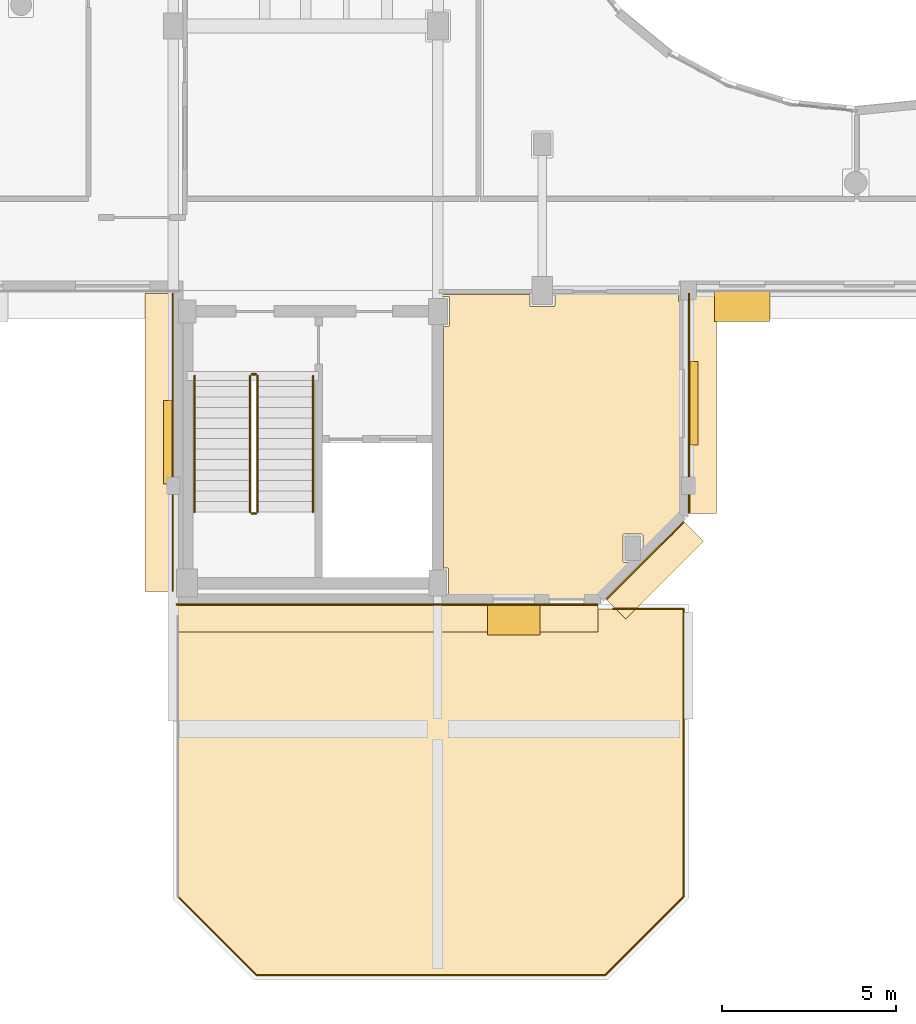
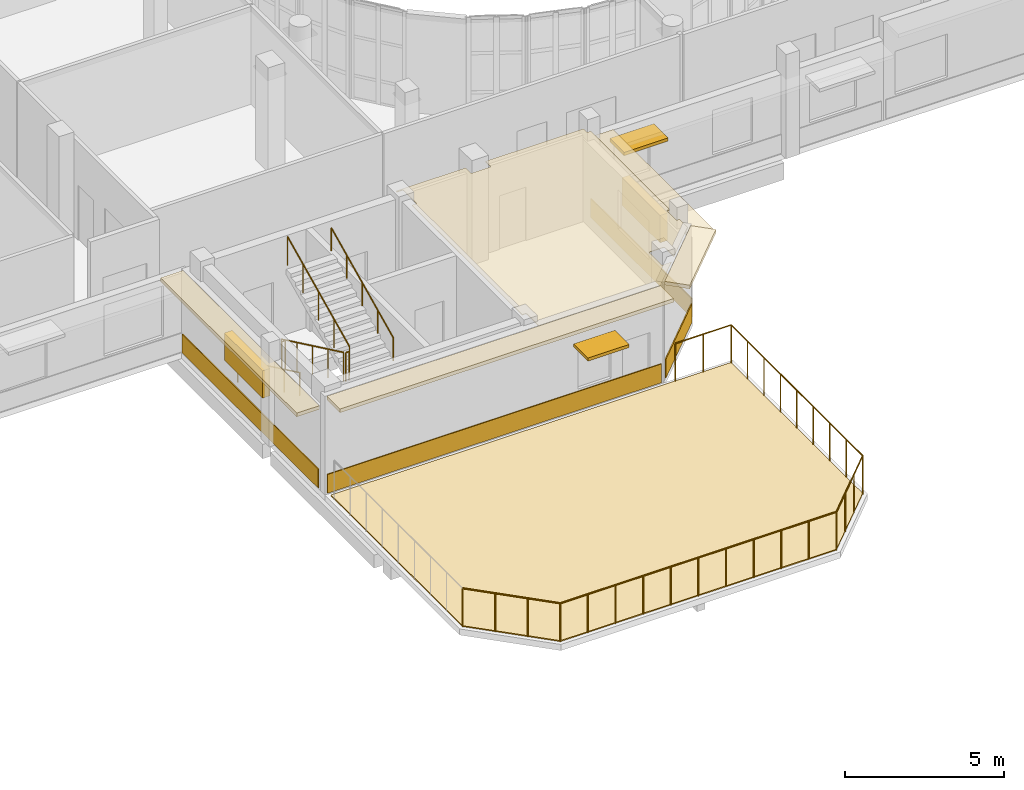
# One storey, part 80 of 89: 10 coverings, 7 railings, 4 shading devices.
"""IFC4 building model written with IfcOpenShell, lengths in metres."""

import ifcopenshell
import ifcopenshell.guid

model = None  # the IFC model being written
_history = None  # IfcOwnerHistory: only IFC2X3 demands one
_inside = {}  # id of a spatial element -> (the spatial element, [elements in it])
_under = {}  # id of a project, library or spatial element -> (it, [spatial elements below it])
_declared = {}  # id of a project -> (the project, [libraries it declares])
_typed = {}  # id of a type object -> (the type object, [elements of that type])
_made_of = {}  # id of a material, layer set ... -> (it, [elements and type objects made of it])


def new_model(schema):
    """Start an empty IFC model of exactly this schema.

    Asked for "IFC4X3", IfcOpenShell would pick the latest addendum, in which some entities
    have other attributes; the version numbers below select the first issue.
    IFC2X3 requires an IfcOwnerHistory on every rooted entity: one is made here for all.
    """
    global model, _history
    if schema == "IFC4X3":
        model = ifcopenshell.file(schema_version=(4, 3, 0, 0))
    else:
        model = ifcopenshell.file(schema=schema)
    _inside.clear()
    _under.clear()
    _declared.clear()
    _typed.clear()
    _made_of.clear()
    _history = None
    if model.schema == "IFC2X3":
        org = make("IfcOrganization", Name="unknown")
        user = make(
            "IfcPersonAndOrganization",
            ThePerson=make("IfcPerson", FamilyName="unknown"),
            TheOrganization=org,
        )
        app = make(
            "IfcApplication",
            ApplicationDeveloper=org,
            Version="unknown",
            ApplicationFullName="unknown",
            ApplicationIdentifier="unknown",
        )
        _history = make(
            "IfcOwnerHistory",
            OwningUser=user,
            OwningApplication=app,
            ChangeAction="ADDED",
            CreationDate=0,
        )
    return model


def make(cls, **values):
    """One entity of the class cls with the attributes given. An attribute that is None is left unset."""
    return model.create_entity(
        cls, **{name: value for name, value in values.items() if value is not None}
    )


def rooted(cls, **values):
    """An entity with a GlobalId (a new one), such as an element, a storey or a relation."""
    return make(cls, GlobalId=ifcopenshell.guid.new(), OwnerHistory=_history, **values)


def si_unit(unit_type, name, prefix=None):
    """IfcSIUnit, for example si_unit("LENGTHUNIT", "METRE", prefix="MILLI")."""
    return make("IfcSIUnit", UnitType=unit_type, Prefix=prefix, Name=name)


def assignment(units):
    """IfcUnitAssignment: the units of a project."""
    return None if units is None else make("IfcUnitAssignment", Units=units)


def point(xyz):
    """IfcCartesianPoint."""
    return None if xyz is None else make("IfcCartesianPoint", Coordinates=xyz)


def direction(xyz):
    """IfcDirection."""
    return None if xyz is None else make("IfcDirection", DirectionRatios=xyz)


def frame(location, z_axis=None, x_axis=None):
    """IfcAxis2Placement3D, a coordinate frame: its origin and axes. An axis left out is left unset."""
    return make(
        "IfcAxis2Placement3D",
        Location=point(location),
        Axis=direction(z_axis),
        RefDirection=direction(x_axis),
    )


def frame_2d(location, x_axis=None):
    """IfcAxis2Placement2D, a coordinate frame in the plane: its origin and x axis."""
    return make(
        "IfcAxis2Placement2D", Location=point(location), RefDirection=direction(x_axis)
    )


def origin():
    """The frame at (0, 0, 0) with its axes left unset."""
    return frame((0.0, 0.0, 0.0))


def origin_2d():
    """The frame at (0, 0) in the plane with its x axis left unset."""
    return frame_2d((0.0, 0.0))


def place(relative_to, where):
    """IfcLocalPlacement: puts the frame where relative to a parent placement (None: the world)."""
    return make(
        "IfcLocalPlacement", PlacementRelTo=relative_to, RelativePlacement=where
    )


def context(
    kind, dimensions, precision=None, world=None, true_north=None, identifier=None
):
    """IfcGeometricRepresentationContext, for example the 3D "Model" context."""
    return make(
        "IfcGeometricRepresentationContext",
        ContextIdentifier=identifier,
        ContextType=kind,
        CoordinateSpaceDimension=dimensions,
        Precision=precision,
        WorldCoordinateSystem=world,
        TrueNorth=true_north,
    )


def subcontext(parent, identifier, kind, view, scale=None):
    """IfcGeometricRepresentationSubContext, for example "Body" below "Model"."""
    return make(
        "IfcGeometricRepresentationSubContext",
        ContextIdentifier=identifier,
        ContextType=kind,
        ParentContext=parent,
        TargetScale=scale,
        TargetView=view,
    )


def project(units=None, contexts=None):
    """IfcProject with its units and contexts."""
    return rooted(
        "IfcProject",
        Name="project",
        RepresentationContexts=contexts,
        UnitsInContext=assignment(units),
    )


def spatial(cls, under=None, at=None, **own):
    """A site, building, storey or space (cls), placed at a placement, below another one or the project."""
    s = rooted(cls, ObjectPlacement=at, **own)
    if under is not None:
        _under.setdefault(under.id(), (under, []))[1].append(s)
    return s


def polyline(points):
    """IfcPolyline through the points."""
    return make("IfcPolyline", Points=[point(p) for p in points])


def profile(cls, at=None, kind="AREA", **sizes):
    """A parametric profile (cls). Its sizes go by their IFC names, for example OverallWidth=200.0."""
    return make(cls, ProfileType=kind, Position=at, **sizes)


def rectangle(**sizes):
    """IfcRectangleProfileDef."""
    return profile("IfcRectangleProfileDef", **sizes)


def circle(**sizes):
    """IfcCircleProfileDef."""
    return profile("IfcCircleProfileDef", **sizes)


def outline(outer, holes=None, kind="AREA"):
    """IfcArbitraryClosedProfileDef: a profile drawn as a closed curve; with holes, ...WithVoids."""
    if holes is None:
        return make("IfcArbitraryClosedProfileDef", ProfileType=kind, OuterCurve=outer)
    return make(
        "IfcArbitraryProfileDefWithVoids",
        ProfileType=kind,
        OuterCurve=outer,
        InnerCurves=holes,
    )


def extrude(swept, where, along, depth):
    """IfcExtrudedAreaSolid: the profile swept, set in the frame where, extruded along a direction by depth."""
    return make(
        "IfcExtrudedAreaSolid",
        SweptArea=swept,
        Position=where,
        ExtrudedDirection=direction(along),
        Depth=depth,
    )


def shape(context_of_items, identifier, shape_type, items):
    """IfcShapeRepresentation: the items that make up one representation, for example the "Body"."""
    return make(
        "IfcShapeRepresentation",
        ContextOfItems=context_of_items,
        RepresentationIdentifier=identifier,
        RepresentationType=shape_type,
        Items=items,
    )


def material(Name=None, Category=None):
    """IfcMaterial."""
    return make("IfcMaterial", Name=Name, Category=Category)


def layer(
    of_material, thickness, ventilated=None, Name=None, Category=None, Priority=None
):
    """IfcMaterialLayer: one layer of a wall or slab, of a material (None: an air gap)."""
    return make(
        "IfcMaterialLayer",
        Material=of_material,
        LayerThickness=thickness,
        IsVentilated=ventilated,
        Name=Name,
        Category=Category,
        Priority=Priority,
    )


def layer_set(layers, Name=None):
    """IfcMaterialLayerSet."""
    return make("IfcMaterialLayerSet", MaterialLayers=layers, LayerSetName=Name)


def made_of(thing, what):
    """Note that an element or type object is made of a material, layer set ...; save() writes the relation."""
    if what is not None:
        _made_of.setdefault(what.id(), (what, []))[1].append(thing)
    return thing


def type_object(cls, material=None, **own):
    """A type object (cls), such as IfcWallType, which elements share."""
    return made_of(rooted(cls, **own), material)


def element(
    cls,
    number,
    at=None,
    inside=None,
    cuts=None,
    type_object=None,
    material=None,
    context=None,
    identifier="Body",
    shape_type=None,
    held_by="IfcProductDefinitionShape",
    body=None,
    shapes=None,
    **own,
):
    """One element of the class cls, such as IfcWall. Its Tag is "e" and its number.

    at: its placement. inside: the storey or other place that contains it. cuts: it is an
    opening in that element (IfcRelVoidsElement). A single representation is given by context,
    identifier, shape_type and body (its items); several are given by shapes. held_by: the class
    of the entity that holds the representations. save() writes the other relations.
    """
    e = rooted(cls, Tag="e%d" % number, ObjectPlacement=at, **own)
    if body is not None:
        shapes = [shape(context, identifier, shape_type, body)]
    if shapes is not None:
        e.Representation = make(held_by, Representations=shapes)
    if inside is not None:
        _inside.setdefault(inside.id(), (inside, []))[1].append(e)
    if cuts is not None:
        rooted(
            "IfcRelVoidsElement", RelatingBuildingElement=cuts, RelatedOpeningElement=e
        )
    if type_object is not None:
        _typed.setdefault(type_object.id(), (type_object, []))[1].append(e)
    return made_of(e, material)


def aggregate(whole, parts):
    """IfcRelAggregates: a whole, such as a stair, and the parts it consists of."""
    return rooted("IfcRelAggregates", RelatingObject=whole, RelatedObjects=parts)


def save(model, path):
    """Write the relations noted so far, then the file.

    IfcRelAggregates (storeys below a building ...), IfcRelContainedInSpatialStructure (elements
    in a storey), IfcRelDefinesByType, IfcRelAssociatesMaterial and IfcRelDeclares: one each for
    every whole, place, type object, material and project.
    """
    for whole, parts in _under.values():
        aggregate(whole, parts)
    for where, things in _inside.values():
        rooted(
            "IfcRelContainedInSpatialStructure",
            RelatedElements=things,
            RelatingStructure=where,
        )
    for kind, things in _typed.values():
        rooted("IfcRelDefinesByType", RelatedObjects=things, RelatingType=kind)
    for what, things in _made_of.values():
        rooted("IfcRelAssociatesMaterial", RelatedObjects=things, RelatingMaterial=what)
    for by, libraries in _declared.values():
        rooted("IfcRelDeclares", RelatingContext=by, RelatedDefinitions=libraries)
    model.write(path)


model = new_model("IFC4")

# Units and contexts
model_context = context("Model", 3, precision=1e-05, world=origin(), true_north=direction((0.0, 1.0)))
body_context = subcontext(model_context, "Body", "Model", "MODEL_VIEW")
ifc_project = project(units=[si_unit("LENGTHUNIT", "METRE"), si_unit("AREAUNIT", "SQUARE_METRE"), si_unit("VOLUMEUNIT", "CUBIC_METRE"), si_unit("PLANEANGLEUNIT", "RADIAN"), si_unit("MASSUNIT", "GRAM", prefix="KILO")], contexts=[model_context])

# Site, building, storey
site_placement = place(None, origin())
site = spatial("IfcSite", under=ifc_project, at=site_placement, CompositionType="ELEMENT")
building_placement = place(site_placement, origin())
building = spatial("IfcBuilding", under=site, at=building_placement, Name="Kelanivale Promenade Academy", CompositionType="ELEMENT")
storey_placement = place(building_placement, frame((0.0, 0.0, 12.199951171875)))
storey = spatial("IfcBuildingStorey", under=building, at=storey_placement, Name="L03", CompositionType="ELEMENT", Elevation=12.199951171875)

# Coverings
ifc_material_1 = material(Name="Warm ivory Art Deco stucco frieze band 40 mm", Category="masonry")
ifc_layer_1 = layer(ifc_material_1, 0.0400390625)
ifc_layer_set_1 = layer_set([ifc_layer_1], Name="Warm ivory Art Deco stucco frieze band 40 mm")
covering_type_1 = type_object("IfcCoveringType", Name="COV-CLD2 Warm ivory Art Deco stucco frieze ba", PredefinedType="CLADDING", material=ifc_layer_set_1)
covering_1_placement = place(storey_placement, frame((94.39990234375, 38.760986328125, 3.01513671875), z_axis=(0.0, 0.0, 1.0), x_axis=(0.0, 1.0, 0.0)))
element("IfcCovering", 1, at=covering_1_placement, inside=storey, type_object=covering_type_1, Name="Art Deco projecting 820 mm streamline sunshade eyebrow ledge", PredefinedType="CLADDING", context=body_context, shape_type="SweptSolid", body=[
    extrude(rectangle(XDim=6.318115234375, YDim=0.820068359375, at=origin_2d()), origin(), (0.0, 0.0, 1.0), 0.139892578125),
])
covering_2_placement = place(storey_placement, frame((94.014892578125, 38.760986328125, 0.06005859375), z_axis=(0.0, 0.0, 1.0), x_axis=(0.0, 1.0, 0.0)))
element("IfcCovering", 2, at=covering_2_placement, inside=storey, type_object=covering_type_1, Name="Art Deco ivory stucco sill frieze band", PredefinedType="CLADDING", context=body_context, shape_type="SweptSolid", body=[
    extrude(rectangle(XDim=6.318115234375, YDim=0.0400390625, at=origin_2d()), origin(), (0.0, 0.0, 1.0), 0.719970703125),
])
covering_3_placement = place(storey_placement, frame((78.800048828125, 37.639892578125, 3.06494140625), z_axis=(0.0, 0.0, 1.0), x_axis=(0.0, -1.0, 0.0)))
element("IfcCovering", 3, at=covering_3_placement, inside=storey, type_object=covering_type_1, Name="Art Deco projecting 820 mm streamline sunshade eyebrow ledge", PredefinedType="CLADDING", context=body_context, shape_type="SweptSolid", body=[
    extrude(rectangle(XDim=8.56005859375, YDim=0.820068359375, at=origin_2d()), origin(), (0.0, 0.0, 1.0), 0.139892578125),
])
covering_4_placement = place(storey_placement, frame((79.18505859375, 37.639892578125, 0.06005859375), z_axis=(0.0, 0.0, 1.0), x_axis=(0.0, -1.0, 0.0)))
element("IfcCovering", 4, at=covering_4_placement, inside=storey, type_object=covering_type_1, Name="Art Deco ivory stucco sill frieze band", PredefinedType="CLADDING", context=body_context, shape_type="SweptSolid", body=[
    extrude(rectangle(XDim=8.56005859375, YDim=0.0400390625, at=origin_2d()), origin(), (0.0, 0.0, 1.0), 0.719970703125),
])
covering_5_placement = place(storey_placement, frame((85.339111328125, 32.60009765625, 3.6201171875), z_axis=(0.0, 0.0, 1.0), x_axis=(1.0, 0.0, 0.0)))
element("IfcCovering", 5, at=covering_5_placement, inside=storey, type_object=covering_type_1, Name="Art Deco projecting 820 mm streamline sunshade eyebrow ledge", PredefinedType="CLADDING", context=body_context, shape_type="SweptSolid", body=[
    extrude(rectangle(XDim=12.117919921875, YDim=0.820068359375, at=origin_2d()), origin(), (0.0, 0.0, 1.0), 0.139892578125),
])
covering_6_placement = place(storey_placement, frame((85.339111328125, 32.985107421875, 0.06005859375), z_axis=(0.0, 0.0, 1.0), x_axis=(1.0, 0.0, 0.0)))
element("IfcCovering", 6, at=covering_6_placement, inside=storey, type_object=covering_type_1, Name="Art Deco ivory stucco sill frieze band", PredefinedType="CLADDING", context=body_context, shape_type="SweptSolid", body=[
    extrude(rectangle(XDim=12.117919921875, YDim=0.0400390625, at=origin_2d()), origin(), (0.0, 0.0, 1.0), 0.719970703125),
])
covering_7_placement = place(storey_placement, frame((93.02294921875, 33.97705078125, 3.6201171875), z_axis=(0.0, 0.0, 1.0), x_axis=(0.707106781187, 0.707106781187, 0.0)))
element("IfcCovering", 7, at=covering_7_placement, inside=storey, type_object=covering_type_1, Name="Art Deco projecting 820 mm streamline sunshade eyebrow ledge", PredefinedType="CLADDING", context=body_context, shape_type="SweptSolid", body=[
    extrude(rectangle(XDim=3.1630859375, YDim=0.820068359375, at=origin_2d()), origin(), (0.0, 0.0, 1.0), 0.139892578125),
])
covering_8_placement = place(storey_placement, frame((92.7509765625, 34.2490234375, 0.06005859375), z_axis=(0.0, 0.0, 1.0), x_axis=(0.707106781187, 0.707106781187, 0.0)))
element("IfcCovering", 8, at=covering_8_placement, inside=storey, type_object=covering_type_1, Name="Art Deco ivory stucco sill frieze band", PredefinedType="CLADDING", context=body_context, shape_type="SweptSolid", body=[
    extrude(rectangle(XDim=3.1630859375, YDim=0.0400390625, at=origin_2d()), origin(), (0.0, 0.0, 1.0), 0.719970703125),
])
ifc_material_2 = material(Name="Acoustic mineral-fibre ceiling tile 25 mm", Category="gypsum")
ifc_layer_2 = layer(ifc_material_2, 0.02490234375)
ifc_layer_set_2 = layer_set([ifc_layer_2], Name="Acoustic mineral-fibre ceiling tile 25 mm")
covering_type_2 = type_object("IfcCoveringType", Name="COV-CLG1 Acoustic mineral-fibre ceiling tile ", PredefinedType="CEILING", material=ifc_layer_set_2)
covering_9_placement = place(storey_placement, frame((0.0, 0.0, 3.550048828125)))
element("IfcCovering", 9, at=covering_9_placement, inside=storey, type_object=covering_type_2, Name="Departmental Staff Office acoustic suspended ceiling", PredefinedType="CEILING", context=body_context, shape_type="SweptSolid", body=[
    extrude(outline(polyline([(86.9599609375, 34.034912109375), (87.070068359375, 34.034912109375), (87.073974609375, 34.034912109375), (87.077880859375, 34.033935546875), (87.08203125, 34.032958984375), (87.0849609375, 34.031982421875), (87.089111328125, 34.030029296875), (87.092041015625, 34.028076171875), (87.094970703125, 34.02587890625), (87.097900390625, 34.02294921875), (87.10107421875, 34.02001953125), (87.10302734375, 34.01708984375), (87.10498046875, 34.013916015625), (87.10693359375, 34.010009765625), (87.10791015625, 34.007080078125), (87.10888671875, 34.0029296875), (87.110107421875, 33.9990234375), (87.110107421875, 33.9951171875), (87.110107421875, 33.205078125), (87.110107421875, 33.200927734375), (87.10888671875, 33.197021484375), (87.10791015625, 33.193115234375), (87.10693359375, 33.18994140625), (87.10498046875, 33.18603515625), (87.10302734375, 33.18310546875), (87.10107421875, 33.179931640625), (87.097900390625, 33.177001953125), (87.094970703125, 33.174072265625), (87.092041015625, 33.172119140625), (87.089111328125, 33.169921875), (87.0849609375, 33.16796875), (87.08203125, 33.1669921875), (87.077880859375, 33.166015625), (87.073974609375, 33.1650390625), (87.070068359375, 33.1650390625), (86.909912109375, 33.1650390625), (86.909912109375, 33.14990234375), (91.41796875, 33.14990234375), (92.4580078125, 34.18994140625), (92.155029296875, 34.18994140625), (92.15087890625, 34.18994140625), (92.14697265625, 34.19091796875), (92.14306640625, 34.19189453125), (92.139892578125, 34.193115234375), (92.135986328125, 34.195068359375), (92.133056640625, 34.197021484375), (92.1298828125, 34.198974609375), (92.126953125, 34.201904296875), (92.1240234375, 34.205078125), (92.1220703125, 34.2080078125), (92.1201171875, 34.2109375), (92.117919921875, 34.215087890625), (92.116943359375, 34.218017578125), (92.115966796875, 34.221923828125), (92.114990234375, 34.22607421875), (92.114990234375, 34.22998046875), (92.114990234375, 34.969970703125), (92.114990234375, 34.97412109375), (92.115966796875, 34.97802734375), (92.116943359375, 34.98193359375), (92.117919921875, 34.985107421875), (92.1201171875, 34.989013671875), (92.1220703125, 34.991943359375), (92.1240234375, 34.9951171875), (92.126953125, 34.998046875), (92.1298828125, 35.0009765625), (92.133056640625, 35.0029296875), (92.135986328125, 35.0048828125), (92.139892578125, 35.007080078125), (92.14306640625, 35.008056640625), (92.14697265625, 35.009033203125), (92.15087890625, 35.010009765625), (92.155029296875, 35.010009765625), (92.64501953125, 35.010009765625), (92.64892578125, 35.010009765625), (92.653076171875, 35.009033203125), (92.656982421875, 35.008056640625), (92.659912109375, 35.007080078125), (92.6640625, 35.0048828125), (92.6669921875, 35.0029296875), (92.669921875, 35.0009765625), (92.673095703125, 34.998046875), (92.676025390625, 34.9951171875), (92.677978515625, 34.991943359375), (92.679931640625, 34.989013671875), (92.681884765625, 34.985107421875), (92.68310546875, 34.98193359375), (92.68408203125, 34.97802734375), (92.68505859375, 34.97412109375), (92.68505859375, 34.969970703125), (92.68505859375, 34.4169921875), (93.85009765625, 35.58203125), (93.85009765625, 36.090087890625), (93.780029296875, 36.090087890625), (93.77587890625, 36.090087890625), (93.77197265625, 36.091064453125), (93.76806640625, 36.092041015625), (93.764892578125, 36.093017578125), (93.760986328125, 36.094970703125), (93.758056640625, 36.096923828125), (93.7548828125, 36.09912109375), (93.751953125, 36.10205078125), (93.7490234375, 36.10498046875), (93.7470703125, 36.10791015625), (93.7451171875, 36.111083984375), (93.742919921875, 36.114990234375), (93.741943359375, 36.117919921875), (93.740966796875, 36.1220703125), (93.739990234375, 36.1259765625), (93.739990234375, 36.1298828125), (93.739990234375, 36.669921875), (93.739990234375, 36.674072265625), (93.740966796875, 36.677978515625), (93.741943359375, 36.681884765625), (93.742919921875, 36.68505859375), (93.7451171875, 36.68896484375), (93.7470703125, 36.69189453125), (93.7490234375, 36.695068359375), (93.751953125, 36.697998046875), (93.7548828125, 36.700927734375), (93.758056640625, 36.702880859375), (93.760986328125, 36.705078125), (93.764892578125, 36.70703125), (93.76806640625, 36.7080078125), (93.77197265625, 36.708984375), (93.77587890625, 36.7099609375), (93.780029296875, 36.7099609375), (93.85009765625, 36.7099609375), (93.85009765625, 41.6650390625), (93.7548828125, 41.6650390625), (93.7509765625, 41.6650390625), (93.7470703125, 41.666015625), (93.742919921875, 41.6669921875), (93.739990234375, 41.66796875), (93.736083984375, 41.669921875), (93.73291015625, 41.672119140625), (93.72998046875, 41.674072265625), (93.72705078125, 41.677001953125), (93.72412109375, 41.679931640625), (93.721923828125, 41.68310546875), (93.719970703125, 41.68603515625), (93.718017578125, 41.68994140625), (93.717041015625, 41.693115234375), (93.716064453125, 41.697021484375), (93.715087890625, 41.700927734375), (93.715087890625, 41.705078125), (93.715087890625, 41.889892578125), (90.159912109375, 41.889892578125), (90.159912109375, 41.580078125), (90.159912109375, 41.575927734375), (90.158935546875, 41.572021484375), (90.157958984375, 41.568115234375), (90.156982421875, 41.56494140625), (90.155029296875, 41.56103515625), (90.153076171875, 41.55810546875), (90.15087890625, 41.554931640625), (90.14794921875, 41.552001953125), (90.14501953125, 41.549072265625), (90.14208984375, 41.547119140625), (90.138916015625, 41.544921875), (90.135009765625, 41.54296875), (90.132080078125, 41.5419921875), (90.1279296875, 41.541015625), (90.1240234375, 41.5400390625), (90.1201171875, 41.5400390625), (89.47998046875, 41.5400390625), (89.47607421875, 41.5400390625), (89.471923828125, 41.541015625), (89.468017578125, 41.5419921875), (89.465087890625, 41.54296875), (89.4609375, 41.544921875), (89.4580078125, 41.547119140625), (89.455078125, 41.549072265625), (89.451904296875, 41.552001953125), (89.448974609375, 41.554931640625), (89.447021484375, 41.55810546875), (89.445068359375, 41.56103515625), (89.443115234375, 41.56494140625), (89.44189453125, 41.568115234375), (89.44091796875, 41.572021484375), (89.43994140625, 41.575927734375), (89.43994140625, 41.580078125), (89.43994140625, 41.889892578125), (86.909912109375, 41.889892578125), (86.909912109375, 41.8349609375), (87.094970703125, 41.8349609375), (87.09912109375, 41.8349609375), (87.10302734375, 41.833984375), (87.10693359375, 41.8330078125), (87.110107421875, 41.83203125), (87.114013671875, 41.830078125), (87.116943359375, 41.827880859375), (87.1201171875, 41.825927734375), (87.123046875, 41.822998046875), (87.1259765625, 41.820068359375), (87.1279296875, 41.81689453125), (87.1298828125, 41.81396484375), (87.132080078125, 41.81005859375), (87.133056640625, 41.806884765625), (87.134033203125, 41.802978515625), (87.135009765625, 41.799072265625), (87.135009765625, 41.794921875), (87.135009765625, 41.0048828125), (87.135009765625, 41.0009765625), (87.134033203125, 40.9970703125), (87.133056640625, 40.992919921875), (87.132080078125, 40.989990234375), (87.1298828125, 40.986083984375), (87.1279296875, 40.98291015625), (87.1259765625, 40.97998046875), (87.123046875, 40.97705078125), (87.1201171875, 40.97412109375), (87.116943359375, 40.971923828125), (87.114013671875, 40.969970703125), (87.110107421875, 40.968017578125), (87.10693359375, 40.967041015625), (87.10302734375, 40.966064453125), (87.09912109375, 40.965087890625), (87.094970703125, 40.965087890625), (86.9599609375, 40.965087890625), (86.9599609375, 34.034912109375)])), origin(), (0.0, 0.0, 1.0), 0.02490234375),
])
ifc_material_3 = material(Name="Impact-absorbing EPDM rooftop Play Deck surfacing 40 mm", Category="masonry")
ifc_layer_3 = layer(ifc_material_3, 0.0400390625)
ifc_layer_set_3 = layer_set([ifc_layer_3], Name="Impact-absorbing EPDM rooftop Play Deck surfacing 40 mm")
covering_type_3 = type_object("IfcCoveringType", Name="COV-FLR3 Impact-absorbing EPDM rooftop Play D", PredefinedType="FLOORING", material=ifc_layer_set_3)
covering_10_placement = place(storey_placement, origin())
element("IfcCovering", 10, at=covering_10_placement, inside=storey, type_object=covering_type_3, Name="South Courtyard Terrace Play Deck EPDM safety surfacing", PredefinedType="FLOORING", context=body_context, shape_type="SweptSolid", body=[
    extrude(outline(polyline([(81.589111328125, 22.340087890625), (91.611083984375, 22.340087890625), (93.860107421875, 24.589111328125), (93.860107421875, 32.860107421875), (79.340087890625, 32.860107421875), (79.340087890625, 24.589111328125), (81.589111328125, 22.340087890625)])), origin(), (0.0, 0.0, 1.0), 0.0400390625),
])

# Railings
ifc_material_4 = material(Name="Brushed stainless steel grade 316", Category="steel")
railing_type_1 = type_object("IfcRailingType", Name="GR-01 Stair Guard 1100mm", PredefinedType="BALUSTRADE", material=ifc_material_4)
railing_1_placement = place(storey_placement, frame((81.405029296875, 39.544921875, 0.142822265625)))
element("IfcRailing", 11, at=railing_1_placement, inside=storey, type_object=railing_type_1, Name="L03 ST-01 stair guard 1", PredefinedType="BALUSTRADE", context=body_context, shape_type="SweptSolid", body=[
    extrude(circle(Radius=0.02392578125, at=origin_2d()), frame((0.0, 0.0, 1.09619140625), z_axis=(0.0, -0.902853205547, 0.429948937937), x_axis=(1.0, 0.0, 0.0)), (0.0, 0.0, 1.0), 4.319580078125),
    extrude(circle(Radius=0.02099609375, at=origin_2d()), origin(), (0.0, 0.0, 1.0), 1.072021484375),
    extrude(circle(Radius=0.02099609375, at=origin_2d()), frame((0.0, -0.97509765625, 0.46435546875)), (0.0, 0.0, 1.0), 1.072021484375),
    extrude(circle(Radius=0.02099609375, at=origin_2d()), frame((0.0, -1.949951171875, 0.9287109375)), (0.0, 0.0, 1.0), 1.072021484375),
    extrude(circle(Radius=0.02099609375, at=origin_2d()), frame((0.0, -2.9248046875, 1.392822265625)), (0.0, 0.0, 1.0), 1.072021484375),
    extrude(circle(Radius=0.02099609375, at=origin_2d()), frame((0.0, -3.89990234375, 1.857177734375)), (0.0, 0.0, 1.0), 1.072021484375),
])
railing_2_placement = place(storey_placement, frame((81.455078125, 35.594970703125, 2.0)))
element("IfcRailing", 12, at=railing_2_placement, inside=storey, type_object=railing_type_1, Name="L03 ST-01 stair guard 2", PredefinedType="BALUSTRADE", context=body_context, shape_type="SweptSolid", body=[
    extrude(circle(Radius=0.02392578125, at=origin_2d()), frame((0.0, 0.0, 1.09619140625), z_axis=(1.0, 0.0, 0.0), x_axis=(0.0, 1.0, 0.0)), (0.0, 0.0, 1.0), 0.119873046875),
    extrude(circle(Radius=0.02099609375, at=origin_2d()), origin(), (0.0, 0.0, 1.0), 1.072021484375),
    extrude(circle(Radius=0.02099609375, at=origin_2d()), frame((0.119873046875, 0.0, 0.0)), (0.0, 0.0, 1.0), 1.072021484375),
])
railing_3_placement = place(storey_placement, frame((81.625, 35.64501953125, 2.142822265625)))
element("IfcRailing", 13, at=railing_3_placement, inside=storey, type_object=railing_type_1, Name="L03 ST-01 stair guard 3", PredefinedType="BALUSTRADE", context=body_context, shape_type="SweptSolid", body=[
    extrude(circle(Radius=0.02392578125, at=origin_2d()), frame((0.0, 0.0, 1.09619140625), z_axis=(0.0, 0.902853205547, 0.429948937937), x_axis=(-1.0, 0.0, 0.0)), (0.0, 0.0, 1.0), 4.319580078125),
    extrude(circle(Radius=0.02099609375, at=origin_2d()), origin(), (0.0, 0.0, 1.0), 1.072021484375),
    extrude(circle(Radius=0.02099609375, at=origin_2d()), frame((0.0, 0.97509765625, 0.46435546875)), (0.0, 0.0, 1.0), 1.072021484375),
    extrude(circle(Radius=0.02099609375, at=origin_2d()), frame((0.0, 1.949951171875, 0.9287109375)), (0.0, 0.0, 1.0), 1.072021484375),
    extrude(circle(Radius=0.02099609375, at=origin_2d()), frame((0.0, 2.9248046875, 1.392822265625)), (0.0, 0.0, 1.0), 1.072021484375),
    extrude(circle(Radius=0.02099609375, at=origin_2d()), frame((0.0, 3.89990234375, 1.857177734375)), (0.0, 0.0, 1.0), 1.072021484375),
])
railing_4_placement = place(storey_placement, frame((81.455078125, 39.594970703125, 0.0)))
element("IfcRailing", 14, at=railing_4_placement, inside=storey, type_object=railing_type_1, Name="L03 ST-01 stair guard 4", PredefinedType="BALUSTRADE", context=body_context, shape_type="SweptSolid", body=[
    extrude(circle(Radius=0.02392578125, at=origin_2d()), frame((0.0, 0.0, 1.09619140625), z_axis=(1.0, 0.0, 0.0), x_axis=(0.0, 1.0, 0.0)), (0.0, 0.0, 1.0), 0.119873046875),
    extrude(circle(Radius=0.02099609375, at=origin_2d()), origin(), (0.0, 0.0, 1.0), 1.072021484375),
    extrude(circle(Radius=0.02099609375, at=origin_2d()), frame((0.119873046875, 0.0, 0.0)), (0.0, 0.0, 1.0), 1.072021484375),
])
ifc_material_5 = material(Name="Powder-coated galvanized steel and stainless top rail", Category="steel")
railing_type_2 = type_object("IfcRailingType", Name="GR-02 Play Deck Balustrade 1500mm", PredefinedType="BALUSTRADE", material=ifc_material_5)
railing_5_placement = place(storey_placement, frame((91.8349609375, 32.860107421875, 0.0)))
element("IfcRailing", 15, at=railing_5_placement, inside=storey, type_object=railing_type_2, Name="South Courtyard Terrace Play Deck 1500 mm safety balustrade", PredefinedType="BALUSTRADE", context=body_context, shape_type="SweptSolid", body=[
    extrude(circle(Radius=0.02392578125, at=origin_2d()), frame((0.0, 0.0, 1.47607421875), z_axis=(1.0, 0.0, 0.0), x_axis=(0.0, 1.0, 0.0)), (0.0, 0.0, 1.0), 2.025146484375),
    extrude(circle(Radius=0.02392578125, at=origin_2d()), frame((2.025146484375, 0.0, 1.47607421875), z_axis=(0.0, -1.0, 0.0), x_axis=(1.0, 0.0, 0.0)), (0.0, 0.0, 1.0), 8.27099609375),
    extrude(circle(Radius=0.02392578125, at=origin_2d()), frame((2.025146484375, -8.27099609375, 1.47607421875), z_axis=(-0.707106781187, -0.707106781187, 0.0), x_axis=(0.707106781187, -0.707106781187, 0.0)), (0.0, 0.0, 1.0), 3.1806640625),
    extrude(circle(Radius=0.02392578125, at=origin_2d()), frame((-0.223876953125, -10.52001953125, 1.47607421875), z_axis=(-1.0, 0.0, 0.0), x_axis=(0.0, -1.0, 0.0)), (0.0, 0.0, 1.0), 10.02197265625),
    extrude(circle(Radius=0.02392578125, at=origin_2d()), frame((-10.245849609375, -10.52001953125, 1.47607421875), z_axis=(-0.707106781187, 0.707106781187, 0.0), x_axis=(-0.707106781187, -0.707106781187, 0.0)), (0.0, 0.0, 1.0), 3.1806640625),
    extrude(circle(Radius=0.02099609375, at=origin_2d()), origin(), (0.0, 0.0, 1.0), 1.451904296875),
    extrude(circle(Radius=0.02099609375, at=origin_2d()), frame((1.0126953125, 0.0, 0.0)), (0.0, 0.0, 1.0), 1.451904296875),
    extrude(circle(Radius=0.02099609375, at=origin_2d()), frame((2.025146484375, 0.0, 0.0)), (0.0, 0.0, 1.0), 1.451904296875),
    extrude(circle(Radius=0.02099609375, at=origin_2d()), frame((2.025146484375, -1.033935546875, 0.0)), (0.0, 0.0, 1.0), 1.451904296875),
    extrude(circle(Radius=0.02099609375, at=origin_2d()), frame((2.025146484375, -2.06787109375, 0.0)), (0.0, 0.0, 1.0), 1.451904296875),
    extrude(circle(Radius=0.02099609375, at=origin_2d()), frame((2.025146484375, -3.1015625, 0.0)), (0.0, 0.0, 1.0), 1.451904296875),
    extrude(circle(Radius=0.02099609375, at=origin_2d()), frame((2.025146484375, -4.135498046875, 0.0)), (0.0, 0.0, 1.0), 1.451904296875),
    extrude(circle(Radius=0.02099609375, at=origin_2d()), frame((2.025146484375, -5.16943359375, 0.0)), (0.0, 0.0, 1.0), 1.451904296875),
    extrude(circle(Radius=0.02099609375, at=origin_2d()), frame((2.025146484375, -6.203125, 0.0)), (0.0, 0.0, 1.0), 1.451904296875),
    extrude(circle(Radius=0.02099609375, at=origin_2d()), frame((2.025146484375, -7.237060546875, 0.0)), (0.0, 0.0, 1.0), 1.451904296875),
    extrude(circle(Radius=0.02099609375, at=origin_2d()), frame((2.025146484375, -8.27099609375, 0.0)), (0.0, 0.0, 1.0), 1.451904296875),
    extrude(circle(Radius=0.02099609375, at=origin_2d()), frame((1.275390625, -9.020751953125, 0.0)), (0.0, 0.0, 1.0), 1.451904296875),
    extrude(circle(Radius=0.02099609375, at=origin_2d()), frame((0.52587890625, -9.770263671875, 0.0)), (0.0, 0.0, 1.0), 1.451904296875),
    extrude(circle(Radius=0.02099609375, at=origin_2d()), frame((-0.223876953125, -10.52001953125, 0.0)), (0.0, 0.0, 1.0), 1.451904296875),
    extrude(circle(Radius=0.02099609375, at=origin_2d()), frame((-1.22607421875, -10.52001953125, 0.0)), (0.0, 0.0, 1.0), 1.451904296875),
    extrude(circle(Radius=0.02099609375, at=origin_2d()), frame((-2.228271484375, -10.52001953125, 0.0)), (0.0, 0.0, 1.0), 1.451904296875),
    extrude(circle(Radius=0.02099609375, at=origin_2d()), frame((-3.23046875, -10.52001953125, 0.0)), (0.0, 0.0, 1.0), 1.451904296875),
    extrude(circle(Radius=0.02099609375, at=origin_2d()), frame((-4.232666015625, -10.52001953125, 0.0)), (0.0, 0.0, 1.0), 1.451904296875),
    extrude(circle(Radius=0.02099609375, at=origin_2d()), frame((-5.23486328125, -10.52001953125, 0.0)), (0.0, 0.0, 1.0), 1.451904296875),
    extrude(circle(Radius=0.02099609375, at=origin_2d()), frame((-6.237060546875, -10.52001953125, 0.0)), (0.0, 0.0, 1.0), 1.451904296875),
    extrude(circle(Radius=0.02099609375, at=origin_2d()), frame((-7.2392578125, -10.52001953125, 0.0)), (0.0, 0.0, 1.0), 1.451904296875),
    extrude(circle(Radius=0.02099609375, at=origin_2d()), frame((-8.241455078125, -10.52001953125, 0.0)), (0.0, 0.0, 1.0), 1.451904296875),
    extrude(circle(Radius=0.02099609375, at=origin_2d()), frame((-9.24365234375, -10.52001953125, 0.0)), (0.0, 0.0, 1.0), 1.451904296875),
    extrude(circle(Radius=0.02099609375, at=origin_2d()), frame((-10.245849609375, -10.52001953125, 0.0)), (0.0, 0.0, 1.0), 1.451904296875),
    extrude(circle(Radius=0.02099609375, at=origin_2d()), frame((-10.99560546875, -9.770263671875, 0.0)), (0.0, 0.0, 1.0), 1.451904296875),
    extrude(circle(Radius=0.02099609375, at=origin_2d()), frame((-11.7451171875, -9.020751953125, 0.0)), (0.0, 0.0, 1.0), 1.451904296875),
    extrude(circle(Radius=0.02099609375, at=origin_2d()), frame((-12.494873046875, -8.27099609375, 0.0)), (0.0, 0.0, 1.0), 1.451904296875),
])
railing_type_3 = type_object("IfcRailingType", Name="HR-01 Pitch Handrail 900mm", PredefinedType="HANDRAIL", material=ifc_material_4)
railing_6_placement = place(storey_placement, frame((79.81494140625, 39.544921875, 0.142822265625)))
element("IfcRailing", 16, at=railing_6_placement, inside=storey, type_object=railing_type_3, Name="L03 ST-01 stair handrail 1", PredefinedType="HANDRAIL", context=body_context, shape_type="SweptSolid", body=[
    extrude(circle(Radius=0.02392578125, at=origin_2d()), frame((0.0, 0.0, 0.8759765625), z_axis=(0.0, -0.902853205547, 0.429948937937), x_axis=(1.0, 0.0, 0.0)), (0.0, 0.0, 1.0), 4.319580078125),
    extrude(circle(Radius=0.02099609375, at=origin_2d()), origin(), (0.0, 0.0, 1.0), 0.851806640625),
    extrude(circle(Radius=0.02099609375, at=origin_2d()), frame((0.0, -0.97509765625, 0.46435546875)), (0.0, 0.0, 1.0), 0.851806640625),
    extrude(circle(Radius=0.02099609375, at=origin_2d()), frame((0.0, -1.949951171875, 0.9287109375)), (0.0, 0.0, 1.0), 0.851806640625),
    extrude(circle(Radius=0.02099609375, at=origin_2d()), frame((0.0, -2.9248046875, 1.392822265625)), (0.0, 0.0, 1.0), 0.851806640625),
    extrude(circle(Radius=0.02099609375, at=origin_2d()), frame((0.0, -3.89990234375, 1.857177734375)), (0.0, 0.0, 1.0), 0.851806640625),
])
railing_7_placement = place(storey_placement, frame((83.215087890625, 35.64501953125, 2.142822265625)))
element("IfcRailing", 17, at=railing_7_placement, inside=storey, type_object=railing_type_3, Name="L03 ST-01 stair handrail 2", PredefinedType="HANDRAIL", context=body_context, shape_type="SweptSolid", body=[
    extrude(circle(Radius=0.02392578125, at=origin_2d()), frame((0.0, 0.0, 0.8759765625), z_axis=(0.0, 0.902853205547, 0.429948937937), x_axis=(-1.0, 0.0, 0.0)), (0.0, 0.0, 1.0), 4.319580078125),
    extrude(circle(Radius=0.02099609375, at=origin_2d()), origin(), (0.0, 0.0, 1.0), 0.851806640625),
    extrude(circle(Radius=0.02099609375, at=origin_2d()), frame((0.0, 0.97509765625, 0.46435546875)), (0.0, 0.0, 1.0), 0.851806640625),
    extrude(circle(Radius=0.02099609375, at=origin_2d()), frame((0.0, 1.949951171875, 0.9287109375)), (0.0, 0.0, 1.0), 0.851806640625),
    extrude(circle(Radius=0.02099609375, at=origin_2d()), frame((0.0, 2.9248046875, 1.392822265625)), (0.0, 0.0, 1.0), 0.851806640625),
    extrude(circle(Radius=0.02099609375, at=origin_2d()), frame((0.0, 3.89990234375, 1.857177734375)), (0.0, 0.0, 1.0), 0.851806640625),
])

# Shading devices
ifc_material_6 = material(Name="Precast concrete C40/50", Category="concrete")
ifc_layer_4 = layer(ifc_material_6, 0.1201171875)
ifc_layer_set_4 = layer_set([ifc_layer_4], Name="Precast concrete C40/50")
shading_device_type_1 = type_object("IfcShadingDeviceType", Name="SHD-01 Art Deco Sunshade Eyebrow 900mm", PredefinedType="USERDEFINED", material=ifc_layer_set_4)
shading_device_1_placement = place(storey_placement, frame((95.54296875, 41.56005859375, 2.659912109375), z_axis=(0.0, 0.0, 1.0), x_axis=(1.0, 0.0, 0.0)))
element("IfcShadingDevice", 18, at=shading_device_1_placement, inside=storey, type_object=shading_device_type_1, Name="Art Deco 900 mm precast chajja window sunshade", ObjectType="SUNSHADE", PredefinedType="USERDEFINED", context=body_context, shape_type="SweptSolid", body=[
    extrude(rectangle(XDim=1.60009765625, YDim=0.89990234375, at=origin_2d()), origin(), (0.0, 0.0, 1.0), 0.1201171875),
])
shading_device_2_placement = place(storey_placement, frame((88.98193359375, 32.56005859375, 2.510009765625), z_axis=(0.0, 0.0, 1.0), x_axis=(1.0, 0.0, 0.0)))
element("IfcShadingDevice", 19, at=shading_device_2_placement, inside=storey, type_object=shading_device_type_1, Name="Art Deco 900 mm precast chajja window sunshade", ObjectType="SUNSHADE", PredefinedType="USERDEFINED", context=body_context, shape_type="SweptSolid", body=[
    extrude(rectangle(XDim=1.5, YDim=0.89990234375, at=origin_2d()), origin(), (0.0, 0.0, 1.0), 0.1201171875),
])
ifc_material_7 = material(Name="Bronze anodised aluminium EN AW-6063 T6", Category="aluminium")
ifc_layer_5 = layer(ifc_material_7, 0.080078125)
ifc_layer_set_5 = layer_set([ifc_layer_5], Name="Bronze anodised aluminium EN AW-6063 T6")
shading_device_type_2 = type_object("IfcShadingDeviceType", Name="SHD-02 Perforated Brise-Soleil Screen", PredefinedType="JALOUSIE", material=ifc_layer_set_5)
for number, where, z_axis, x_axis, name in (
    (20, (94.135009765625, 38.760986328125, 1.72509765625), (0.0, 0.0, 1.0), (0.0, 1.0, 0.0), "Perforated Art Deco brise-soleil louvre screen"),
    (21, (79.06494140625, 37.639892578125, 1.72509765625), (0.0, 0.0, 1.0), (0.0, -1.0, 0.0), "Perforated Art Deco brise-soleil louvre screen"),
):
    element("IfcShadingDevice", number, at=place(storey_placement, frame(where, z_axis=z_axis, x_axis=x_axis)), inside=storey, type_object=shading_device_type_2, Name=name, PredefinedType="JALOUSIE", context=body_context, shape_type="SweptSolid", body=[
        extrude(rectangle(XDim=2.39990234375, YDim=0.280029296875, at=origin_2d()), origin(), (0.0, 0.0, 1.0), 1.050048828125),
    ])

save(model, "model.ifc")
